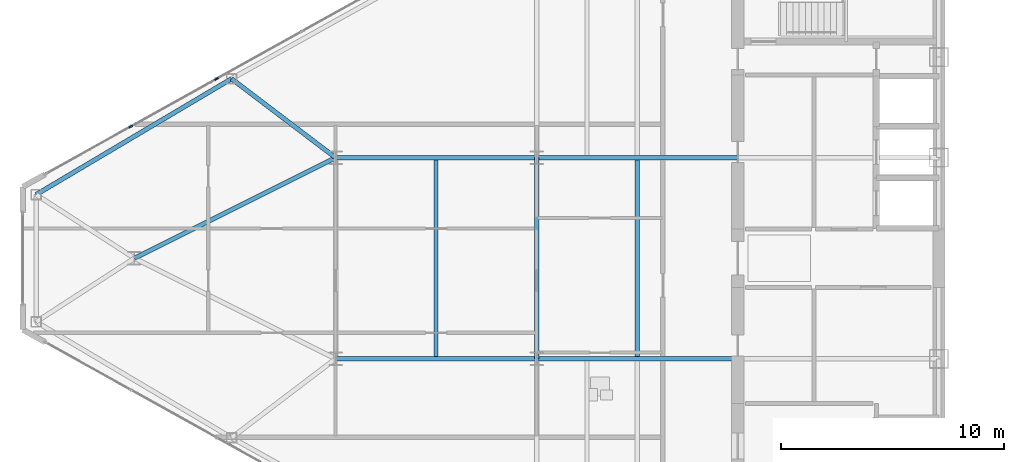
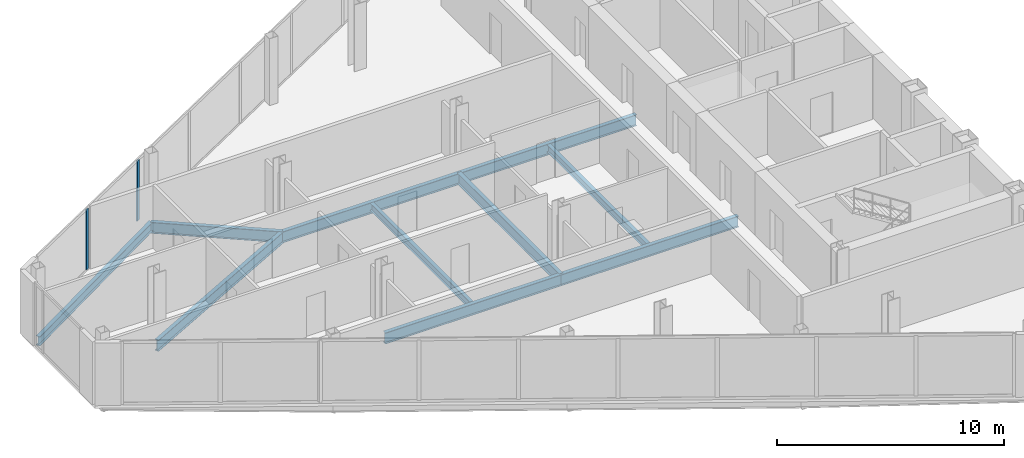
# One storey, part 6 of 26: 10 beams, 2 members, 1 element without a shape of its own.
"""IFC4 building model written with IfcOpenShell, lengths in metres."""

from ifc_helpers import new_model, si_unit, direction, frame, origin, origin_2d, place, context, subcontext, project, spatial, rectangle, i_section, extrude, source, transform, mapped, material, layer, layer_set, material_profile, profile_set, type_object, type_shapes, element, aggregate, save


model = new_model("IFC4")

# Units and contexts
model_context = context("Model", 3, precision=1e-05, world=origin(), true_north=direction((0.0, 1.0)))
body_context = subcontext(model_context, "Body", "Model", "MODEL_VIEW")
ifc_project = project(units=[si_unit("LENGTHUNIT", "METRE"), si_unit("AREAUNIT", "SQUARE_METRE"), si_unit("VOLUMEUNIT", "CUBIC_METRE"), si_unit("PLANEANGLEUNIT", "RADIAN"), si_unit("MASSUNIT", "GRAM", prefix="KILO")], contexts=[model_context])

# Site, building, storey
site_placement = place(None, origin())
site = spatial("IfcSite", under=ifc_project, at=site_placement, CompositionType="ELEMENT")
building_placement = place(site_placement, origin())
building = spatial("IfcBuilding", under=site, at=building_placement, Name="Seokmaru Belvedere", CompositionType="ELEMENT")
storey_placement = place(building_placement, frame((0.0, 0.0, 174.300048828125)))
storey = spatial("IfcBuildingStorey", under=building, at=storey_placement, Name="L46", CompositionType="ELEMENT", Elevation=174.300048828125)

# Beams
ifc_material_1 = material(Name="Steel SM355 (355 MPa)", Category="steel")
ifc_material_profile_1 = material_profile(ifc_material_1, i_section(OverallWidth=0.199951171875, OverallDepth=0.60009765625, WebThickness=0.010986328125, FlangeThickness=0.01708984375, at=origin_2d()), Name="H-600x200x11x17")
ifc_profile_set_1 = profile_set([ifc_material_profile_1], Name="Steel SM355 (355 MPa)")
beam_type_1 = type_object("IfcBeamType", Name="Primary Floor Girder H-600", PredefinedType="BEAM", material=ifc_profile_set_1)
shared_shape_1 = source(origin(), body_context, "Body", "SweptSolid", [
    extrude(i_section(OverallWidth=0.199951171875, OverallDepth=0.60009765625, WebThickness=0.010986328125, FlangeThickness=0.01708984375, at=origin_2d()), origin(), (0.0, 0.0, 1.0), 9.0),
])
for number, where, z_axis, x_axis, name in (
    (1, (-45.5, -4.5, -0.52001953125), (0.0, 1.0, 0.0), (-1.0, 0.0, 0.0), "L46 W Interior Grid Girder 2"),
    (2, (-45.5, -4.5, -0.52001953125), (1.0, 0.0, 0.0), (0.0, 1.0, 0.0), "L46 W Wing Primary Girder 2"),
    (3, (-45.5, 4.5, -0.52001953125), (1.0, 0.0, 0.0), (0.0, 1.0, 0.0), "L46 W Wing Primary Girder 3"),
    (4, (-54.5, -4.5, -0.52001953125), (1.0, 0.0, 0.0), (0.0, 1.0, 0.0), "L46 W Outer Wing Girder 1"),
    (5, (-54.5, 4.5, -0.52001953125), (1.0, 0.0, 0.0), (0.0, 1.0, 0.0), "L46 W Outer Wing Girder 2"),
):
    element("IfcBeam", number, at=place(storey_placement, frame(where, z_axis=z_axis, x_axis=x_axis)), inside=storey, type_object=beam_type_1, Name=name, PredefinedType="BEAM", context=body_context, shape_type="MappedRepresentation", body=[
        mapped(shared_shape_1, transform((0.0, 0.0, 0.0), scale=1.0)),
    ])
shared_shape_2 = source(origin(), body_context, "Body", "SweptSolid", [
    extrude(i_section(OverallWidth=0.199951171875, OverallDepth=0.60009765625, WebThickness=0.010986328125, FlangeThickness=0.01708984375, at=origin_2d()), origin(), (0.0, 0.0, 1.0), 10.062255859375),
])
beam_1_placement = place(storey_placement, frame((-54.5, 4.5, -0.52001953125), z_axis=(-0.894427191, -0.4472135955, 0.0), x_axis=(0.4472135955, -0.894427191, 0.0)))
element("IfcBeam", 6, at=beam_1_placement, inside=storey, type_object=beam_type_1, Name="L46 W Apex Converging Girder 2", PredefinedType="BEAM", context=body_context, shape_type="MappedRepresentation", body=[
    mapped(shared_shape_2, transform((0.0, 0.0, 0.0), scale=1.0)),
])
ifc_material_profile_2 = material_profile(ifc_material_1, i_section(OverallWidth=0.18505859375, OverallDepth=0.389892578125, WebThickness=0.008056640625, FlangeThickness=0.011962890625, at=origin_2d()), Name="H-390x185x8x12")
ifc_profile_set_2 = profile_set([ifc_material_profile_2], Name="Steel SM355 (355 MPa)")
beam_type_2 = type_object("IfcBeamType", Name="Secondary Floor Joist H-350", PredefinedType="JOIST", material=ifc_profile_set_2)
shared_shape_3 = source(origin(), body_context, "Body", "SweptSolid", [
    extrude(i_section(OverallWidth=0.18505859375, OverallDepth=0.389892578125, WebThickness=0.008056640625, FlangeThickness=0.011962890625, at=origin_2d()), origin(), (0.0, 0.0, 1.0), 8.7900390625),
])
type_shapes(beam_type_2, [shared_shape_3])
for number, where, z_axis, x_axis, name in (
    (7, (-41.0, -4.39501953125, -0.4150390625), (0.0, 1.0, 0.0), (-1.0, 0.0, 0.0), "L46 W Secondary Floor Joist 2"),
    (8, (-50.0, -4.39501953125, -0.4150390625), (0.0, 1.0, 0.0), (-1.0, 0.0, 0.0), "L46 W Outer Bay Secondary Joist"),
):
    element("IfcBeam", number, at=place(storey_placement, frame(where, z_axis=z_axis, x_axis=x_axis)), inside=storey, type_object=beam_type_2, Name=name, PredefinedType="JOIST", context=body_context, shape_type="MappedRepresentation", body=[
        mapped(shared_shape_3, transform((0.0, 0.0, 0.0), scale=1.0)),
    ])
ifc_material_profile_3 = material_profile(ifc_material_1, i_section(OverallWidth=0.199951171875, OverallDepth=0.5, WebThickness=0.010009765625, FlangeThickness=0.01611328125, at=origin_2d()), Name="H-500x200x10x16")
ifc_profile_set_3 = profile_set([ifc_material_profile_3], Name="Steel SM355 (355 MPa)")
beam_type_3 = type_object("IfcBeamType", Name="Perimeter Spandrel Beam H-500", PredefinedType="SPANDREL", material=ifc_profile_set_3)
shared_shape_4 = source(origin(), body_context, "Body", "SweptSolid", [
    extrude(i_section(OverallWidth=0.199951171875, OverallDepth=0.5, WebThickness=0.010009765625, FlangeThickness=0.01611328125, at=origin_2d()), origin(), (0.0, 0.0, 1.0), 10.16650390625),
])
type_shapes(beam_type_3, [shared_shape_4])
beam_2_placement = place(storey_placement, frame((-59.154541015625, 8.031494140625, -0.469970703125), z_axis=(-0.860209996506, -0.509939959124, 0.0), x_axis=(0.509939959124, -0.860209996506, 0.0)))
element("IfcBeam", 9, at=beam_2_placement, inside=storey, type_object=beam_type_3, Name="L46 W Faceted Flank Spandrel N-4", PredefinedType="SPANDREL", context=body_context, shape_type="MappedRepresentation", body=[
    mapped(shared_shape_4, transform((0.0, 0.0, 0.0), scale=1.0)),
])
shared_shape_5 = source(origin(), body_context, "Body", "SweptSolid", [
    extrude(i_section(OverallWidth=0.199951171875, OverallDepth=0.60009765625, WebThickness=0.010986328125, FlangeThickness=0.01708984375, at=origin_2d()), origin(), (0.0, 0.0, 1.0), 5.842529296875),
])
type_shapes(beam_type_1, [shared_shape_1, shared_shape_2, shared_shape_5])
beam_3_placement = place(storey_placement, frame((-59.154541015625, 8.031494140625, -0.52001953125), z_axis=(0.796653109879, -0.604436781243, 0.0), x_axis=(0.604436781243, 0.796653109879, 0.0)))
element("IfcBeam", 10, at=beam_3_placement, inside=storey, type_object=beam_type_1, Name="L46 W Flank Radial Floor Girder N-3", PredefinedType="BEAM", context=body_context, shape_type="MappedRepresentation", body=[
    mapped(shared_shape_5, transform((0.0, 0.0, 0.0), scale=1.0)),
])

# Curtain wall, members
ifc_material_2 = material(Name="Bronze Triple Insulating Glass", Category="glass")
ifc_layer = layer(ifc_material_2, 0.179931640625)
ifc_layer_set = layer_set([ifc_layer], Name="Bronze Triple Insulating Glass")
curtain_wall_type = type_object("IfcCurtainWallType", Name="High-Rise Wind-Corner Curtain Wall System CW-5", PredefinedType="NOTDEFINED", material=ifc_layer_set)
curtain_wall_placement = place(storey_placement, origin())
curtain_wall = element("IfcCurtainWall", 11, at=curtain_wall_placement, inside=storey, type_object=curtain_wall_type, Name="L46 Curtain Wall WF3", PredefinedType="NOTDEFINED")
ifc_material_3 = material(Name="Anodised Bronze Aluminium", Category="aluminium")
ifc_material_profile_4 = material_profile(ifc_material_3, rectangle(XDim=0.06494140625, YDim=0.179931640625, at=origin_2d()), Name="CW-M-65x180")
ifc_profile_set_4 = profile_set([ifc_material_profile_4], Name="Anodised Bronze Aluminium")
member_type = type_object("IfcMemberType", Name="Bronze Unitised Mullion 65x180", PredefinedType="MULLION", material=ifc_profile_set_4)
shared_shape_6 = source(origin(), body_context, "Body", "SweptSolid", [
    extrude(rectangle(XDim=0.06494140625, YDim=0.179931640625, at=origin_2d()), origin(), (0.0, 0.0, 1.0), 3.25),
])
type_shapes(member_type, [shared_shape_6])
member_1_placement = place(storey_placement, frame((-59.83056640625, 8.021728515625, 0.06494140625), z_axis=(0.0, 0.0, 1.0), x_axis=(0.486047125147, -0.873932601598, 0.0)))
member_1 = element("IfcMember", 12, at=member_1_placement, type_object=member_type, Name="CW:L46:WF3 Mullion 8", PredefinedType="MULLION", context=body_context, shape_type="MappedRepresentation", body=[
    mapped(shared_shape_6, transform((0.0, 0.0, 0.0), scale=1.0)),
])
member_2_placement = place(storey_placement, frame((-63.662841796875, 5.890380859375, 0.06494140625), z_axis=(0.0, 0.0, 1.0), x_axis=(0.486047125147, -0.873932601598, 0.0)))
member_2 = element("IfcMember", 13, at=member_2_placement, type_object=member_type, Name="CW:L46:WF3 Mullion 9", PredefinedType="MULLION", context=body_context, shape_type="MappedRepresentation", body=[
    mapped(shared_shape_6, transform((0.0, 0.0, 0.0), scale=1.0)),
])
aggregate(curtain_wall, [member_1, member_2])

save(model, "model.ifc")
